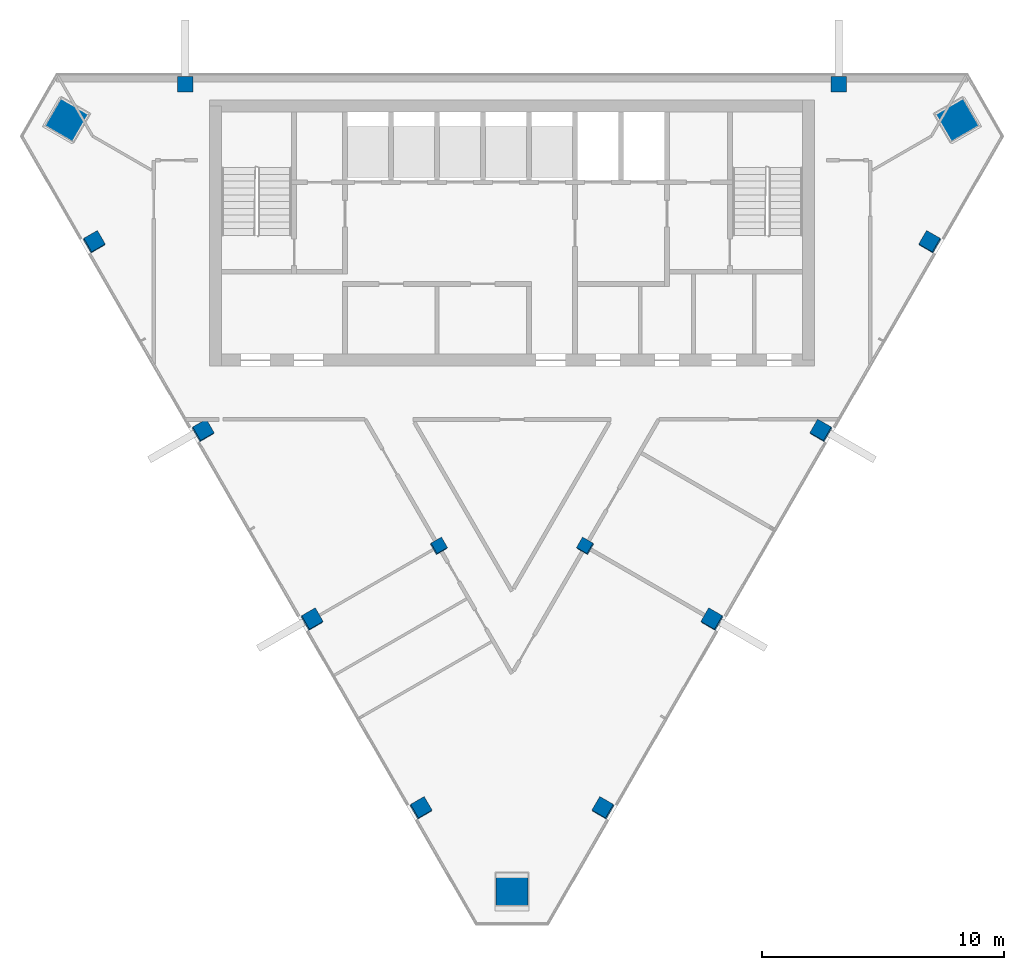
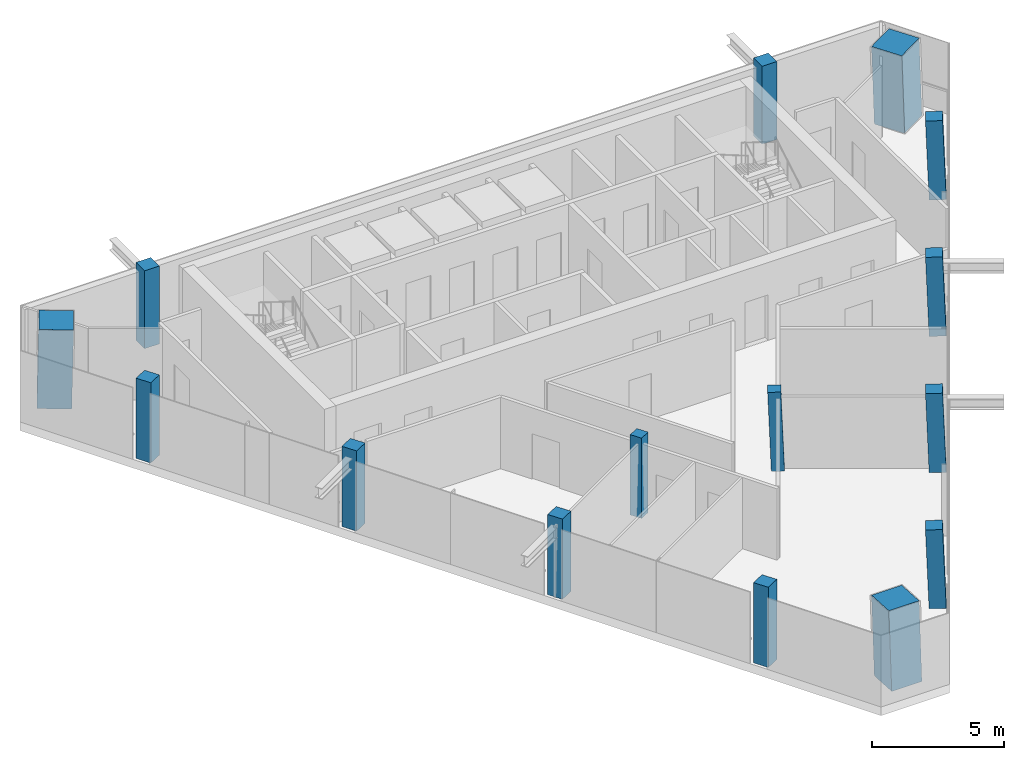
# One storey, part 1 of 9: 15 columns.
"""IFC4 building model written with IfcOpenShell, lengths in metres."""

from ifc_helpers import new_model, si_unit, direction, frame, origin, origin_2d, place, context, subcontext, project, spatial, rectangle, extrude, material, material_profile, profile_set, type_object, element, save


model = new_model("IFC4")

# Units and contexts
model_context = context("Model", 3, precision=1e-05, world=origin(), true_north=direction((0.0, 1.0)))
body_context = subcontext(model_context, "Body", "Model", "MODEL_VIEW")
ifc_project = project(units=[si_unit("LENGTHUNIT", "METRE"), si_unit("AREAUNIT", "SQUARE_METRE"), si_unit("VOLUMEUNIT", "CUBIC_METRE"), si_unit("PLANEANGLEUNIT", "RADIAN"), si_unit("MASSUNIT", "GRAM", prefix="KILO")], contexts=[model_context])

# Site, building, storey
site_placement = place(None, origin())
site = spatial("IfcSite", under=ifc_project, at=site_placement, CompositionType="ELEMENT")
building_placement = place(site_placement, origin())
building = spatial("IfcBuilding", under=site, at=building_placement, Name="Altiplano Prism Tower", CompositionType="ELEMENT")
storey_placement = place(building_placement, frame((0.0, 0.0, 354.39990234375)))
storey = spatial("IfcBuildingStorey", under=building, at=storey_placement, Name="L92", CompositionType="ELEMENT", Elevation=354.39990234375)

# Columns
ifc_material_1 = material(Name="Concrete C60/75", Category="concrete")
ifc_material_profile_1 = material_profile(ifc_material_1, rectangle(XDim=0.5, YDim=0.5, at=origin_2d()), Name="Inner column 500")
ifc_profile_set_1 = profile_set([ifc_material_profile_1], Name="Concrete C60/75")
column_type_1 = type_object("IfcColumnType", Name="Inner column 500", PredefinedType="COLUMN", material=ifc_profile_set_1)
for number, where, z_axis, x_axis, name in (
    (1, (81.966796875, 85.452392578125, -0.01513671875), (0.022221406801, 0.038413224561, 0.999014831351), (-0.866021380218, -0.498527772566, 0.0384321348), "Inner column I13 L92"),
    (2, (88.033203125, 85.452392578125, -0.01513671875), (-0.022221406801, 0.038413224561, 0.999014831351), (-0.499512940858, -0.866022219206, 0.022188685317), "Inner column I22 L92"),
):
    element("IfcColumn", number, at=place(storey_placement, frame(where, z_axis=z_axis, x_axis=x_axis)), inside=storey, type_object=column_type_1, Name=name, PredefinedType="COLUMN", context=body_context, shape_type="SweptSolid", body=[
        extrude(rectangle(XDim=0.5, YDim=0.5, at=origin_2d()), origin(), (0.0, 0.0, 1.0), 3.603759765625),
    ])
ifc_material_2 = material(Name="Concrete C70/85", Category="concrete")
ifc_material_profile_2 = material_profile(ifc_material_2, rectangle(XDim=1.320068359375, YDim=1.320068359375, at=origin_2d()), Name="Mega column infill 1400")
ifc_profile_set_2 = profile_set([ifc_material_profile_2], Name="Concrete C70/85")
column_type_2 = type_object("IfcColumnType", Name="Mega column infill 1400", PredefinedType="COLUMN", material=ifc_profile_set_2)
column_1_placement = place(storey_placement, frame((66.552001953125, 103.051025390625, 0.0), z_axis=(0.028401814599, 0.009218727412, 0.999554076572), x_axis=(-0.865124423326, 0.50115998712, 0.019959946774)))
element("IfcColumn", 3, at=column_1_placement, inside=storey, type_object=column_type_2, Name="Mega column M0 L92", PredefinedType="COLUMN", context=body_context, shape_type="SweptSolid", body=[
    extrude(rectangle(XDim=1.320068359375, YDim=1.320068359375, at=origin_2d()), origin(), (0.0, 0.0, 1.0), 3.601806640625),
])
column_2_placement = place(storey_placement, frame((85.0, 71.09814453125, 0.0), z_axis=(0.0, 0.058356907999, 0.998295783467), x_axis=(-1.0, 0.0, 0.0)))
element("IfcColumn", 4, at=column_2_placement, inside=storey, type_object=column_type_2, Name="Mega column M1 L92", PredefinedType="COLUMN", context=body_context, shape_type="SweptSolid", body=[
    extrude(rectangle(XDim=1.320068359375, YDim=1.320068359375, at=origin_2d()), origin(), (0.0, 0.0, 1.0), 3.606201171875),
])
column_3_placement = place(storey_placement, frame((103.447998046875, 103.051025390625, 0.0), z_axis=(-0.028401814599, 0.009218727412, 0.999554076572), x_axis=(0.500752502832, -0.865305542785, 0.022209199275)))
element("IfcColumn", 5, at=column_3_placement, inside=storey, type_object=column_type_2, Name="Mega column M2 L92", PredefinedType="COLUMN", context=body_context, shape_type="SweptSolid", body=[
    extrude(rectangle(XDim=1.320068359375, YDim=1.320068359375, at=origin_2d()), origin(), (0.0, 0.0, 1.0), 3.601806640625),
])
ifc_material_profile_3 = material_profile(ifc_material_1, rectangle(XDim=0.64990234375, YDim=0.64990234375, at=origin_2d()), Name="Perimeter column 650")
ifc_profile_set_3 = profile_set([ifc_material_profile_3], Name="Concrete C60/75")
column_type_3 = type_object("IfcColumnType", Name="Perimeter column 650", PredefinedType="COLUMN", material=ifc_profile_set_3)
for number, where, z_axis, x_axis, name in (
    (6, (98.5, 104.550048828125, 0.0), (0.0, 0.0, 1.0), (1.0, 0.0, 0.0), "Perimeter column P01 L92"),
    (7, (71.5, 104.550048828125, 0.0), (0.0, 0.0, 1.0), (1.0, 0.0, 0.0), "Perimeter column P04 L92"),
):
    element("IfcColumn", number, at=place(storey_placement, frame(where, z_axis=z_axis, x_axis=x_axis)), inside=storey, type_object=column_type_3, Name=name, PredefinedType="COLUMN", context=body_context, shape_type="SweptSolid", body=[
        extrude(rectangle(XDim=0.64990234375, YDim=0.64990234375, at=origin_2d()), origin(), (0.0, 0.0, 1.0), 3.60009765625),
    ])
for number, where, z_axis, x_axis, name in (
    (8, (67.727294921875, 98.015625, -0.01953125), (0.022222910879, 0.038415824599, 0.999014697916), (-0.866021331072, -0.498527657424, 0.038434735731), "Perimeter column P11 L92"),
    (9, (72.227294921875, 90.221435546875, -0.01953125), (0.022222910879, 0.038415824599, 0.999014697916), (-0.866021331072, -0.498527657424, 0.038434735731), "Perimeter column P12 L92"),
    (10, (76.727294921875, 82.42724609375, -0.01953125), (0.022222910879, 0.038415824599, 0.999014697916), (-0.866021322354, -0.498527672539, 0.038434736118), "Perimeter column P13 L92"),
    (11, (81.227294921875, 74.6328125, -0.01953125), (0.022222852987, 0.038483477124, 0.999012095419), (-0.865639352107, -0.499186721818, 0.038485436791), "Perimeter column P14 L92"),
    (12, (88.772705078125, 74.6328125, -0.01953125), (-0.022222852987, 0.038483477124, 0.999012095419), (-0.500174626395, -0.865639439229, 0.022219459073), "Perimeter column P21 L92"),
    (13, (93.272705078125, 82.42724609375, -0.01953125), (-0.022222910879, 0.038415824599, 0.999014697916), (-0.499512974266, -0.866022161456, 0.022190187181), "Perimeter column P22 L92"),
    (14, (97.772705078125, 90.221435546875, -0.01953125), (-0.022222910879, 0.038415824599, 0.999014697916), (-0.499512959151, -0.866022170157, 0.022190187852), "Perimeter column P23 L92"),
    (15, (102.272705078125, 98.015625, -0.01953125), (-0.022222910879, 0.038415824599, 0.999014697916), (-0.499512959151, -0.866022170157, 0.022190187852), "Perimeter column P24 L92"),
):
    element("IfcColumn", number, at=place(storey_placement, frame(where, z_axis=z_axis, x_axis=x_axis)), inside=storey, type_object=column_type_3, Name=name, PredefinedType="COLUMN", context=body_context, shape_type="SweptSolid", body=[
        extrude(rectangle(XDim=0.64990234375, YDim=0.64990234375, at=origin_2d()), origin(), (0.0, 0.0, 1.0), 3.603515625),
    ])

save(model, "model.ifc")
